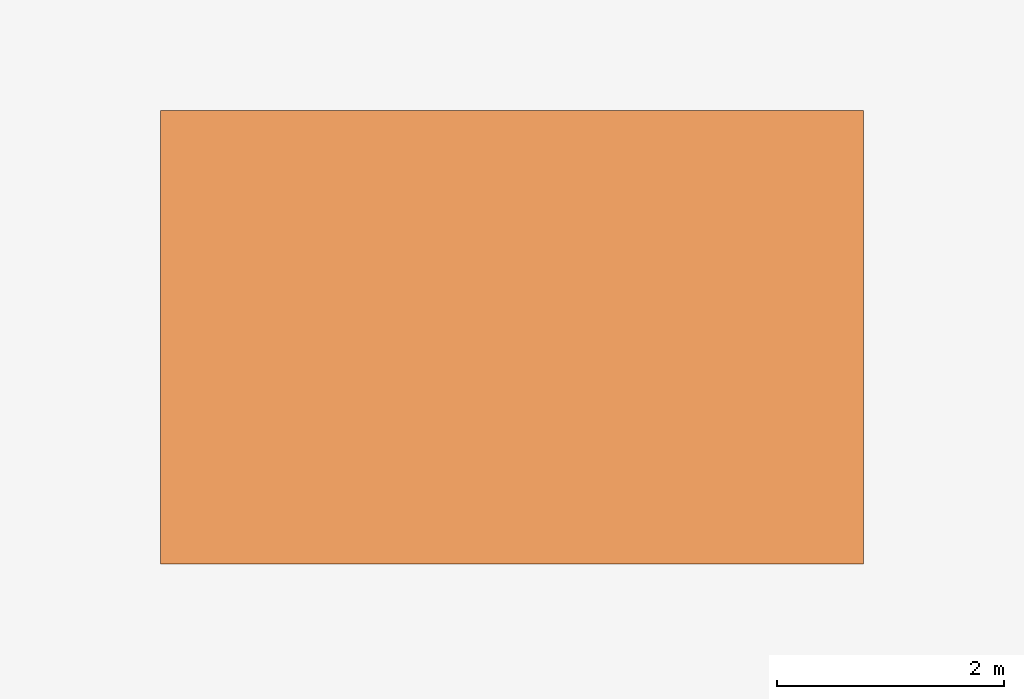
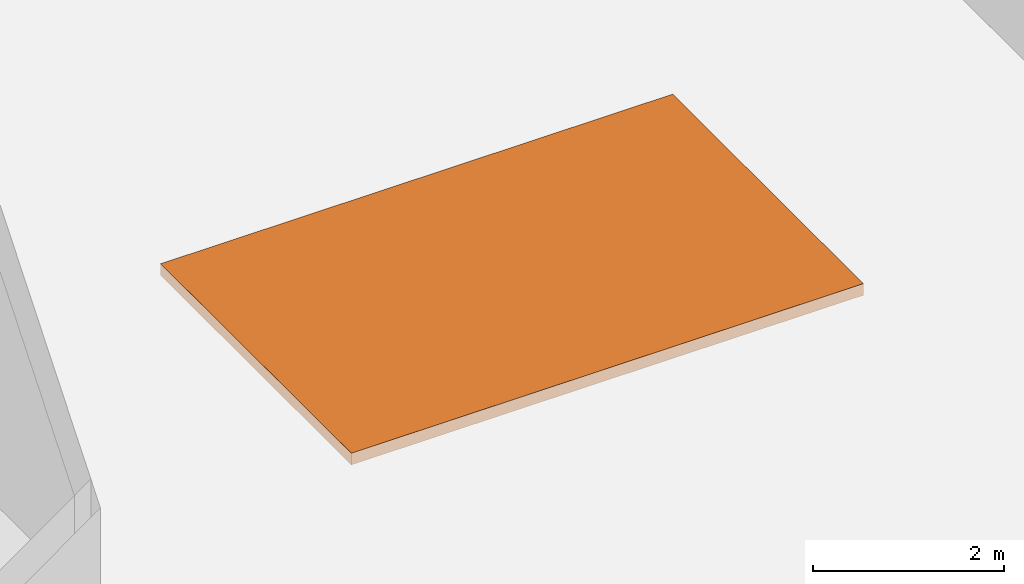
# One storey, part 14 of 14: 1 proxy.
"""IFC4 building model written with IfcOpenShell, lengths in metres."""

from ifc_helpers import new_model, si_unit, direction, frame, origin, place, context, subcontext, project, spatial, polyline, outline, extrude, material, layer, layer_set, type_object, element, save


model = new_model("IFC4")

# Units and contexts
model_context = context("Model", 3, precision=1e-05, world=origin(), true_north=direction((0.0, 1.0)))
body_context = subcontext(model_context, "Body", "Model", "MODEL_VIEW")
ifc_project = project(units=[si_unit("LENGTHUNIT", "METRE"), si_unit("AREAUNIT", "SQUARE_METRE"), si_unit("VOLUMEUNIT", "CUBIC_METRE"), si_unit("PLANEANGLEUNIT", "RADIAN"), si_unit("MASSUNIT", "GRAM", prefix="KILO")], contexts=[model_context])

# Site, building, storey
site_placement = place(None, origin())
site = spatial("IfcSite", under=ifc_project, at=site_placement, CompositionType="ELEMENT")
building_placement = place(site_placement, origin())
building = spatial("IfcBuilding", under=site, at=building_placement, Name="Crosswind Convention Tower", CompositionType="ELEMENT")
storey_placement = place(building_placement, origin())
storey = spatial("IfcBuildingStorey", under=building, at=storey_placement, Name="L00", CompositionType="ELEMENT", Elevation=0.0)

# Proxy
ifc_material = material(Name="Asphalt surfacing")
ifc_layer = layer(ifc_material, 0.14990234375)
ifc_layer_set = layer_set([ifc_layer], Name="VEHICLE DRIVEWAY SURFACING 150")
building_element_proxy_type = type_object("IfcBuildingElementProxyType", Name="VEHICLE DRIVEWAY SURFACING 150", PredefinedType="USERDEFINED", material=ifc_layer_set)
proxy_placement = place(storey_placement, frame((0.0, 0.0, -0.14990234375)))
element("IfcBuildingElementProxy", 1, at=proxy_placement, inside=storey, type_object=building_element_proxy_type, Name="Vehicle driveway from the street into the drop-off lane", ObjectType="DRIVEWAY", PredefinedType="USERDEFINED", context=body_context, shape_type="SweptSolid", body=[
    extrude(outline(polyline([(128.10009765625, 56.0), (128.10009765625, 60.0), (121.89990234375, 60.0), (121.89990234375, 56.0), (128.10009765625, 56.0)])), origin(), (0.0, 0.0, 1.0), 0.14990234375),
])

save(model, "model.ifc")
